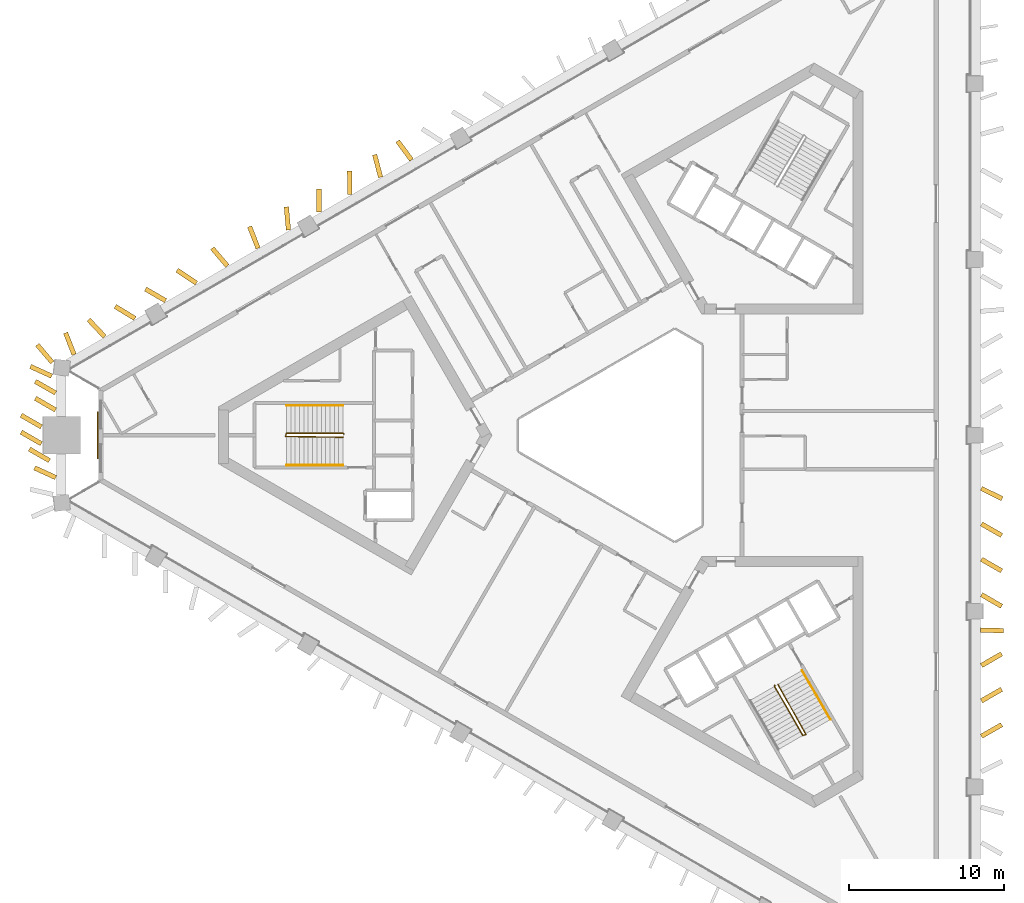
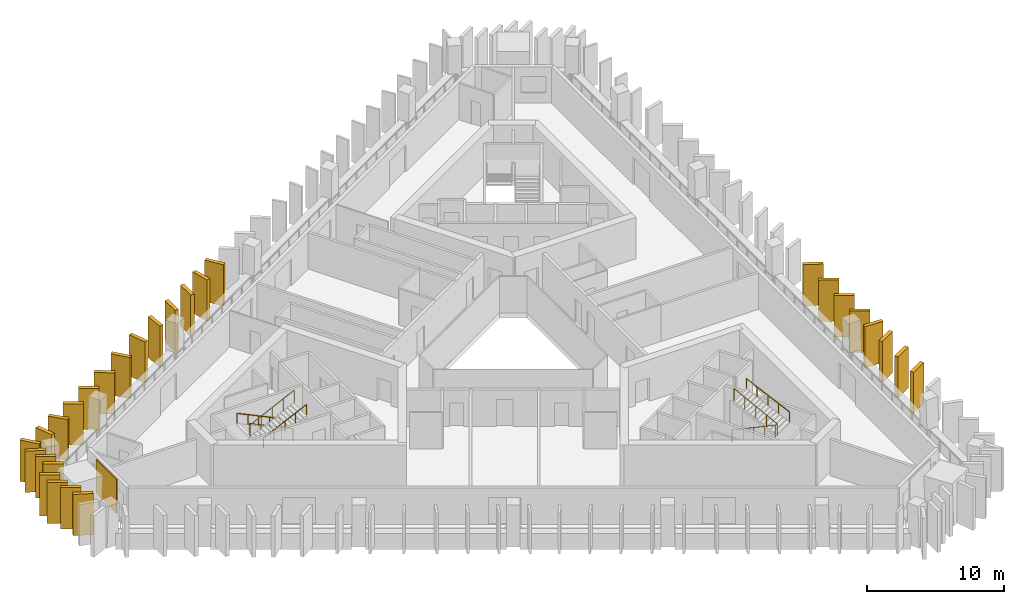
# One storey, part 8 of 10: 28 shading devices, 5 railings, 1 covering.
"""IFC4 building model written with IfcOpenShell, lengths in metres."""

from ifc_helpers import new_model, si_unit, direction, frame, frame_2d, origin, origin_2d, place, context, subcontext, project, spatial, rectangle, circle, extrude, material, layer, layer_set, type_object, element, save


model = new_model("IFC4")

# Units and contexts
model_context = context("Model", 3, precision=1e-05, world=origin(), true_north=direction((0.0, 1.0)))
body_context = subcontext(model_context, "Body", "Model", "MODEL_VIEW")
ifc_project = project(units=[si_unit("LENGTHUNIT", "METRE"), si_unit("AREAUNIT", "SQUARE_METRE"), si_unit("VOLUMEUNIT", "CUBIC_METRE"), si_unit("PLANEANGLEUNIT", "RADIAN"), si_unit("MASSUNIT", "GRAM", prefix="KILO")], contexts=[model_context])

# Site, building, storey
site_placement = place(None, origin())
site = spatial("IfcSite", under=ifc_project, at=site_placement, CompositionType="ELEMENT")
building_placement = place(site_placement, origin())
building = spatial("IfcBuilding", under=site, at=building_placement, Name="Jabali Bay Hotel Tower and Convention Centre", CompositionType="ELEMENT")
storey_placement = place(building_placement, frame((0.0, 0.0, 125.300048828125)))
storey = spatial("IfcBuildingStorey", under=building, at=storey_placement, Name="L30", CompositionType="ELEMENT", Elevation=125.300048828125)

# Shading devices
ifc_material_1 = material(Name="Precast concrete C60", Category="concrete")
ifc_layer_1 = layer(ifc_material_1, 0.300048828125)
ifc_layer_set_1 = layer_set([ifc_layer_1], Name="Precast concrete C60")
shading_device_type = type_object("IfcShadingDeviceType", Name="Precast fin 3680 x 1500", PredefinedType="USERDEFINED", material=ifc_layer_set_1)
for number, where, z_axis, x_axis, name in (
    (1, (97.4931640625, 60.6337890625, 0.010009765625), (0.0, 0.0, 1.0), (0.867119005422, 0.498101024327, 0.0), "Fin L30 004"),
    (2, (97.4931640625, 62.912109375, 0.010009765625), (0.0, 0.0, 1.0), (0.867119005422, 0.498101024327, 0.0), "Fin L30 005"),
    (3, (97.4931640625, 65.1904296875, 0.010009765625), (0.0, 0.0, 1.0), (0.867119005422, 0.498101024327, 0.0), "Fin L30 006"),
):
    element("IfcShadingDevice", number, at=place(storey_placement, frame(where, z_axis=z_axis, x_axis=x_axis)), inside=storey, type_object=shading_device_type, Name=name, ObjectType="FIN", PredefinedType="USERDEFINED", context=body_context, shape_type="SweptSolid", body=[
        extrude(rectangle(XDim=1.499755859375, YDim=0.300048828125, at=frame_2d((0.75, 0.0))), origin(), (0.0, 0.0, 1.0), 3.679931640625),
    ])
shading_device_1_placement = place(storey_placement, frame((97.42236328125, 67.468994140625, 0.010009765625), z_axis=(0.0, 0.0, 1.0), x_axis=(0.999634969873, -0.027017161348, 0.0)))
element("IfcShadingDevice", 4, at=shading_device_1_placement, inside=storey, type_object=shading_device_type, Name="Fin L30 007", ObjectType="FIN", PredefinedType="USERDEFINED", context=body_context, shape_type="SweptSolid", body=[
    extrude(rectangle(XDim=1.5, YDim=0.300048828125, at=frame_2d((0.75, 0.0))), origin(), (0.0, 0.0, 1.0), 3.679931640625),
])
for number, where, z_axis, x_axis, name in (
    (5, (97.4931640625, 69.747314453125, 0.010009765625), (0.0, 0.0, 1.0), (0.867119005422, -0.498101024327, 0.0), "Fin L30 008"),
    (6, (97.4931640625, 72.025634765625, 0.010009765625), (0.0, 0.0, 1.0), (0.867119005422, -0.498101024327, 0.0), "Fin L30 009"),
    (7, (97.4931640625, 74.303955078125, 0.010009765625), (0.0, 0.0, 1.0), (0.867119005422, -0.498101024327, 0.0), "Fin L30 010"),
):
    element("IfcShadingDevice", number, at=place(storey_placement, frame(where, z_axis=z_axis, x_axis=x_axis)), inside=storey, type_object=shading_device_type, Name=name, ObjectType="FIN", PredefinedType="USERDEFINED", context=body_context, shape_type="SweptSolid", body=[
        extrude(rectangle(XDim=1.499755859375, YDim=0.300048828125, at=frame_2d((0.75, 0.0))), origin(), (0.0, 0.0, 1.0), 3.679931640625),
    ])
shading_device_2_placement = place(storey_placement, frame((97.4853515625, 76.58251953125, 0.010009765625), z_axis=(0.0, 0.0, 1.0), x_axis=(0.895142158028, -0.445780794698, 0.0)))
element("IfcShadingDevice", 8, at=shading_device_2_placement, inside=storey, type_object=shading_device_type, Name="Fin L30 011", ObjectType="FIN", PredefinedType="USERDEFINED", context=body_context, shape_type="SweptSolid", body=[
    extrude(rectangle(XDim=1.5, YDim=0.300048828125, at=frame_2d((0.75, 0.0))), origin(), (0.0, 0.0, 1.0), 3.679931640625),
])
shading_device_3_placement = place(storey_placement, frame((60.82275390625, 97.720703125, 0.010009765625), z_axis=(0.0, 0.0, 1.0), x_axis=(-0.594308695688, 0.804237013715, 0.0)))
element("IfcShadingDevice", 9, at=shading_device_3_placement, inside=storey, type_object=shading_device_type, Name="Fin L30 048", ObjectType="FIN", PredefinedType="USERDEFINED", context=body_context, shape_type="SweptSolid", body=[
    extrude(rectangle(XDim=1.500244140625, YDim=0.300048828125, at=frame_2d((0.75, 0.0))), origin(), (0.0, 0.0, 1.0), 3.679931640625),
])
for number, where, z_axis, x_axis, name in (
    (10, (58.83837890625, 96.600830078125, 0.010009765625), (0.0, 0.0, 1.0), (-0.256831882514, 0.966456095291, 0.0), "Fin L30 049"),
    (11, (56.84765625, 95.4921875, 0.010009765625), (0.0, 0.0, 1.0), (-0.005045508693, 0.99998727134, 0.0), "Fin L30 050"),
    (12, (54.874267578125, 94.353271484375, 0.010009765625), (0.0, 0.0, 1.0), (-0.002278639918, 0.999997403897, 0.0), "Fin L30 051"),
    (13, (52.906982421875, 93.2041015625, 0.010009765625), (0.0, 0.0, 1.0), (-0.088055315722, 0.996115586352, 0.0), "Fin L30 052"),
    (14, (50.9541015625, 92.02978515625, 0.010009765625), (0.0, 0.0, 1.0), (-0.364110885753, 0.931355604952, 0.0), "Fin L30 053"),
    (15, (48.978759765625, 90.89453125, 0.010009765625), (0.0, 0.0, 1.0), (-0.648550283642, 0.761171813448, 0.0), "Fin L30 054"),
    (16, (46.986083984375, 89.7890625, 0.010009765625), (0.0, 0.0, 1.0), (-0.830620163566, 0.556839423782, 0.0), "Fin L30 055"),
    (17, (45.0087890625, 88.6572265625, 0.010009765625), (0.0, 0.0, 1.0), (-0.864898360543, 0.501947034986, 0.0), "Fin L30 056"),
    (18, (43.036865234375, 87.515869140625, 0.010009765625), (0.0, 0.0, 1.0), (-0.854955080074, 0.518702044583, 0.0), "Fin L30 057"),
):
    element("IfcShadingDevice", number, at=place(storey_placement, frame(where, z_axis=z_axis, x_axis=x_axis)), inside=storey, type_object=shading_device_type, Name=name, ObjectType="FIN", PredefinedType="USERDEFINED", context=body_context, shape_type="SweptSolid", body=[
        extrude(rectangle(XDim=1.5, YDim=0.300048828125, at=frame_2d((0.75, 0.0))), origin(), (0.0, 0.0, 1.0), 3.679931640625),
    ])
shading_device_4_placement = place(storey_placement, frame((41.08251953125, 86.343994140625, 0.010009765625), z_axis=(0.0, 0.0, 1.0), x_axis=(-0.685126022986, 0.728424555206, 0.0)))
element("IfcShadingDevice", 19, at=shading_device_4_placement, inside=storey, type_object=shading_device_type, Name="Fin L30 058", ObjectType="FIN", PredefinedType="USERDEFINED", context=body_context, shape_type="SweptSolid", body=[
    extrude(rectangle(XDim=1.499755859375, YDim=0.300048828125, at=frame_2d((0.75, 0.0))), origin(), (0.0, 0.0, 1.0), 3.679931640625),
])
for number, where, z_axis, x_axis, name in (
    (20, (39.115234375, 85.194580078125, 0.010009765625), (0.0, 0.0, 1.0), (-0.36377329922, 0.931487512946, 0.0), "Fin L30 059"),
    (21, (37.672607421875, 83.80810546875, 0.010009765625), (0.0, 0.0, 1.0), (-0.910109912376, 0.414366923625, 0.0), "Fin L30 060"),
    (22, (37.9248046875, 82.72021484375, 0.010009765625), (0.0, 0.0, 1.0), (-0.867159382876, 0.498030726652, 0.0), "Fin L30 061"),
    (23, (37.9248046875, 81.632080078125, 0.010009765625), (0.0, 0.0, 1.0), (-0.867159382876, 0.498030726652, 0.0), "Fin L30 062"),
):
    element("IfcShadingDevice", number, at=place(storey_placement, frame(where, z_axis=z_axis, x_axis=x_axis)), inside=storey, type_object=shading_device_type, Name=name, ObjectType="FIN", PredefinedType="USERDEFINED", context=body_context, shape_type="SweptSolid", body=[
        extrude(rectangle(XDim=1.5, YDim=0.300048828125, at=frame_2d((0.75, 0.0))), origin(), (0.0, 0.0, 1.0), 3.679931640625),
    ])
for number, where, z_axis, x_axis, name in (
    (24, (37.01220703125, 80.5439453125, 0.010009765625), (0.0, 0.0, 1.0), (-0.867119005422, 0.498101024327, 0.0), "Fin L30 063"),
    (25, (37.01220703125, 79.4560546875, 0.010009765625), (0.0, 0.0, 1.0), (-0.867119005422, 0.498101024327, 0.0), "Fin L30 064"),
    (26, (37.5380859375, 78.367919921875, 0.010009765625), (0.0, 0.0, 1.0), (-0.867119005422, 0.498101024327, 0.0), "Fin L30 065"),
):
    element("IfcShadingDevice", number, at=place(storey_placement, frame(where, z_axis=z_axis, x_axis=x_axis)), inside=storey, type_object=shading_device_type, Name=name, ObjectType="FIN", PredefinedType="USERDEFINED", context=body_context, shape_type="SweptSolid", body=[
        extrude(rectangle(XDim=1.499755859375, YDim=0.300048828125, at=frame_2d((0.75, 0.0))), origin(), (0.0, 0.0, 1.0), 3.679931640625),
    ])
shading_device_5_placement = place(storey_placement, frame((37.93701171875, 77.27978515625, 0.010009765625), z_axis=(0.0, 0.0, 1.0), x_axis=(-0.90920348445, 0.416352043184, 0.0)))
element("IfcShadingDevice", 27, at=shading_device_5_placement, inside=storey, type_object=shading_device_type, Name="Fin L30 066", ObjectType="FIN", PredefinedType="USERDEFINED", context=body_context, shape_type="SweptSolid", body=[
    extrude(rectangle(XDim=1.5, YDim=0.300048828125, at=frame_2d((0.75, 0.0))), origin(), (0.0, 0.0, 1.0), 3.679931640625),
])
shading_device_6_placement = place(storey_placement, frame((37.718994140625, 84.6796875, 0.010009765625), z_axis=(0.0, 0.0, 1.0), x_axis=(-0.647218328706, 0.762304686452, 0.0)))
element("IfcShadingDevice", 28, at=shading_device_6_placement, inside=storey, type_object=shading_device_type, Name="Fin L30 105", ObjectType="FIN", PredefinedType="USERDEFINED", context=body_context, shape_type="SweptSolid", body=[
    extrude(rectangle(XDim=1.499755859375, YDim=0.300048828125, at=frame_2d((0.75, 0.0))), origin(), (0.0, 0.0, 1.0), 3.679931640625),
])

# Covering
ifc_material_2 = material(Name="Precast concrete C40/50", Category="concrete")
ifc_layer_2 = layer(ifc_material_2, 0.080078125)
ifc_layer_set_2 = layer_set([ifc_layer_2], Name="Precast concrete C40/50")
covering_type = type_object("IfcCoveringType", Name="Relief panel 3000 x 3050", PredefinedType="CLADDING", material=ifc_layer_set_2)
covering_placement = place(storey_placement, frame((40.646240234375, 80.0, 0.10009765625), z_axis=(0.0, 0.0, 1.0), x_axis=(0.0, 1.0, 0.0)))
element("IfcCovering", 29, at=covering_placement, inside=storey, type_object=covering_type, Name="Relief panel L30", PredefinedType="CLADDING", context=body_context, shape_type="SweptSolid", body=[
    extrude(rectangle(XDim=3.0, YDim=0.080078125, at=origin_2d()), origin(), (0.0, 0.0, 1.0), 3.050048828125),
])

# Railings
ifc_material_3 = material(Name="Steel Q355B", Category="steel")
railing_type_1 = type_object("IfcRailingType", Name="Stair guard 1100", PredefinedType="GUARDRAIL", material=ifc_material_3)
railing_1_placement = place(storey_placement, frame((56.469970703125, 80.074951171875, 0.0)))
element("IfcRailing", 30, at=railing_1_placement, inside=storey, type_object=railing_type_1, Name="L30 ST1 stair guard 1", PredefinedType="GUARDRAIL", context=body_context, shape_type="SweptSolid", body=[
    extrude(circle(Radius=0.02392578125, at=origin_2d()), frame((0.0, 0.0, 1.076171875), z_axis=(-0.333993628408, 0.333993628408, 0.881417331555), x_axis=(-0.707106781187, -0.707106781187, 0.0)), (0.0, 0.0, 1.0), 0.14990234375),
    extrude(circle(Radius=0.02392578125, at=origin_2d()), frame((-0.050048828125, 0.050048828125, 1.2080078125), z_axis=(-0.904350763662, 0.0, 0.426789990819), x_axis=(0.0, -1.0, 0.0)), (0.0, 0.0, 1.0), 4.02490234375),
    extrude(circle(Radius=0.02392578125, at=origin_2d()), frame((-3.68994140625, 0.050048828125, 2.92578125), z_axis=(-0.242814311512, -0.970072785993, 0.0), x_axis=(0.970072785993, -0.242814311512, 0.0)), (0.0, 0.0, 1.0), 0.2060546875),
    extrude(circle(Radius=0.02392578125, at=origin_2d()), frame((-3.739990234375, -0.14990234375, 2.92578125), z_axis=(0.893864111827, -0.012124000458, 0.448174026692), x_axis=(0.013562335953, 0.999908027292, 0.0)), (0.0, 0.0, 1.0), 4.128173828125),
    extrude(circle(Radius=0.02099609375, at=origin_2d()), origin(), (0.0, 0.0, 1.0), 1.052001953125),
    extrude(circle(Radius=0.02099609375, at=origin_2d()), frame((-0.050048828125, 0.050048828125, 0.132080078125)), (0.0, 0.0, 1.0), 1.052001953125),
    extrude(circle(Radius=0.02099609375, at=origin_2d()), frame((-0.9599609375, 0.050048828125, 0.5615234375)), (0.0, 0.0, 1.0), 1.052001953125),
    extrude(circle(Radius=0.02099609375, at=origin_2d()), frame((-1.8701171875, 0.050048828125, 0.990966796875)), (0.0, 0.0, 1.0), 1.052001953125),
    extrude(circle(Radius=0.02099609375, at=origin_2d()), frame((-2.780029296875, 0.050048828125, 1.42041015625)), (0.0, 0.0, 1.0), 1.052001953125),
    extrude(circle(Radius=0.02099609375, at=origin_2d()), frame((-3.68994140625, 0.050048828125, 1.849853515625)), (0.0, 0.0, 1.0), 1.052001953125),
    extrude(circle(Radius=0.02099609375, at=origin_2d()), frame((-3.739990234375, -0.14990234375, 1.849853515625)), (0.0, 0.0, 1.0), 1.052001953125),
    extrude(circle(Radius=0.02099609375, at=origin_2d()), frame((-2.8173828125, -0.162353515625, 2.3125)), (0.0, 0.0, 1.0), 1.052001953125),
    extrude(circle(Radius=0.02099609375, at=origin_2d()), frame((-1.89501953125, -0.1748046875, 2.77490234375)), (0.0, 0.0, 1.0), 1.052001953125),
    extrude(circle(Radius=0.02099609375, at=origin_2d()), frame((-0.97265625, -0.1875, 3.2373046875)), (0.0, 0.0, 1.0), 1.052001953125),
    extrude(circle(Radius=0.02099609375, at=origin_2d()), frame((-0.050048828125, -0.199951171875, 3.699951171875)), (0.0, 0.0, 1.0), 1.052001953125),
])
railing_2_placement = place(storey_placement, frame((84.199951171875, 63.9150390625, 0.0)))
element("IfcRailing", 31, at=railing_2_placement, inside=storey, type_object=railing_type_1, Name="L30 ST3 stair guard 1", PredefinedType="GUARDRAIL", context=body_context, shape_type="SweptSolid", body=[
    extrude(circle(Radius=0.02392578125, at=origin_2d()), frame((0.0, 0.0, 1.076171875), z_axis=(-0.122196845461, -0.456201556387, 0.881446578591), x_axis=(0.965948051503, -0.258736085224, 0.0)), (0.0, 0.0, 1.0), 0.14990234375),
    extrude(circle(Radius=0.02392578125, at=origin_2d()), frame((-0.018310546875, -0.068359375, 1.2080078125), z_axis=(0.452190331055, -0.783190014029, 0.426775475427), x_axis=(0.866018046521, 0.500012742938, 0.0)), (0.0, 0.0, 1.0), 4.02490234375),
    extrude(circle(Radius=0.02392578125, at=origin_2d()), frame((1.8017578125, -3.220703125, 2.92578125), z_axis=(0.96121063429, 0.275815366736, 0.0), x_axis=(-0.275815366736, 0.96121063429, 0.0)), (0.0, 0.0, 1.0), 0.206298828125),
    extrude(circle(Radius=0.02392578125, at=origin_2d()), frame((2.0, -3.163818359375, 2.92578125), z_axis=(-0.436470229993, 0.780146179382, 0.448180406895), x_axis=(-0.872702246529, -0.488252792008, 0.0)), (0.0, 0.0, 1.0), 4.1279296875),
    extrude(circle(Radius=0.02099609375, at=origin_2d()), origin(), (0.0, 0.0, 1.0), 1.052001953125),
    extrude(circle(Radius=0.02099609375, at=origin_2d()), frame((-0.018310546875, -0.068359375, 0.132080078125)), (0.0, 0.0, 1.0), 1.052001953125),
    extrude(circle(Radius=0.02099609375, at=origin_2d()), frame((0.436767578125, -0.8564453125, 0.5615234375)), (0.0, 0.0, 1.0), 1.052001953125),
    extrude(circle(Radius=0.02099609375, at=origin_2d()), frame((0.8916015625, -1.64453125, 0.990966796875)), (0.0, 0.0, 1.0), 1.052001953125),
    extrude(circle(Radius=0.02099609375, at=origin_2d()), frame((1.3466796875, -2.4326171875, 1.42041015625)), (0.0, 0.0, 1.0), 1.052001953125),
    extrude(circle(Radius=0.02099609375, at=origin_2d()), frame((1.8017578125, -3.220703125, 1.849853515625)), (0.0, 0.0, 1.0), 1.052001953125),
    extrude(circle(Radius=0.02099609375, at=origin_2d()), frame((2.0, -3.163818359375, 1.849853515625)), (0.0, 0.0, 1.0), 1.052001953125),
    extrude(circle(Radius=0.02099609375, at=origin_2d()), frame((1.549560546875, -2.358642578125, 2.3125)), (0.0, 0.0, 1.0), 1.052001953125),
    extrude(circle(Radius=0.02099609375, at=origin_2d()), frame((1.09912109375, -1.5537109375, 2.77490234375)), (0.0, 0.0, 1.0), 1.052001953125),
    extrude(circle(Radius=0.02099609375, at=origin_2d()), frame((0.648681640625, -0.74853515625, 3.2373046875)), (0.0, 0.0, 1.0), 1.052001953125),
    extrude(circle(Radius=0.02099609375, at=origin_2d()), frame((0.1982421875, 0.056640625, 3.699951171875)), (0.0, 0.0, 1.0), 1.052001953125),
])
railing_type_2 = type_object("IfcRailingType", Name="Stair handrail 900", PredefinedType="HANDRAIL", material=ifc_material_3)
railing_3_placement = place(storey_placement, frame((56.419921875, 81.925048828125, 0.132080078125)))
element("IfcRailing", 32, at=railing_3_placement, inside=storey, type_object=railing_type_2, Name="L30 ST1 stair handrail 1", PredefinedType="HANDRAIL", context=body_context, shape_type="SweptSolid", body=[
    extrude(circle(Radius=0.02392578125, at=origin_2d()), frame((0.0, 0.0, 0.8759765625), z_axis=(-0.904350763662, 0.0, 0.426789990819), x_axis=(0.0, -1.0, 0.0)), (0.0, 0.0, 1.0), 4.02490234375),
    extrude(circle(Radius=0.02099609375, at=origin_2d()), origin(), (0.0, 0.0, 1.0), 0.851806640625),
    extrude(circle(Radius=0.02099609375, at=origin_2d()), frame((-0.909912109375, 0.0, 0.429443359375)), (0.0, 0.0, 1.0), 0.851806640625),
    extrude(circle(Radius=0.02099609375, at=origin_2d()), frame((-1.81982421875, 0.0, 0.85888671875)), (0.0, 0.0, 1.0), 0.851806640625),
    extrude(circle(Radius=0.02099609375, at=origin_2d()), frame((-2.72998046875, 0.0, 1.288330078125)), (0.0, 0.0, 1.0), 0.851806640625),
    extrude(circle(Radius=0.02099609375, at=origin_2d()), frame((-3.639892578125, 0.0, 1.7177734375)), (0.0, 0.0, 1.0), 0.851806640625),
])
railing_4_placement = place(storey_placement, frame((52.780029296875, 78.074951171875, 1.982177734375)))
element("IfcRailing", 33, at=railing_4_placement, inside=storey, type_object=railing_type_2, Name="L30 ST1 stair handrail 2", PredefinedType="HANDRAIL", context=body_context, shape_type="SweptSolid", body=[
    extrude(circle(Radius=0.02392578125, at=origin_2d()), frame((0.0, 0.0, 0.8759765625), z_axis=(0.904350763662, 0.0, 0.426789990819), x_axis=(0.0, 1.0, 0.0)), (0.0, 0.0, 1.0), 4.02490234375),
    extrude(circle(Radius=0.02099609375, at=origin_2d()), origin(), (0.0, 0.0, 1.0), 0.851806640625),
    extrude(circle(Radius=0.02099609375, at=origin_2d()), frame((0.909912109375, 0.0, 0.429443359375)), (0.0, 0.0, 1.0), 0.851806640625),
    extrude(circle(Radius=0.02099609375, at=origin_2d()), frame((1.81982421875, 0.0, 0.85888671875)), (0.0, 0.0, 1.0), 0.851806640625),
    extrude(circle(Radius=0.02099609375, at=origin_2d()), frame((2.72998046875, 0.0, 1.288330078125)), (0.0, 0.0, 1.0), 0.851806640625),
    extrude(circle(Radius=0.02099609375, at=origin_2d()), frame((3.639892578125, 0.0, 1.7177734375)), (0.0, 0.0, 1.0), 0.851806640625),
])
railing_5_placement = place(storey_placement, frame((87.777099609375, 61.719482421875, 1.982177734375)))
element("IfcRailing", 34, at=railing_5_placement, inside=storey, type_object=railing_type_2, Name="L30 ST3 stair handrail 2", PredefinedType="HANDRAIL", context=body_context, shape_type="SweptSolid", body=[
    extrude(circle(Radius=0.02392578125, at=origin_2d()), frame((0.0, 0.0, 0.8759765625), z_axis=(-0.452190331055, 0.783190014029, 0.426775475427), x_axis=(-0.866018046521, -0.500012742938, 0.0)), (0.0, 0.0, 1.0), 4.02490234375),
    extrude(circle(Radius=0.02099609375, at=origin_2d()), origin(), (0.0, 0.0, 1.0), 0.851806640625),
    extrude(circle(Radius=0.02099609375, at=origin_2d()), frame((-0.455078125, 0.7880859375, 0.429443359375)), (0.0, 0.0, 1.0), 0.851806640625),
    extrude(circle(Radius=0.02099609375, at=origin_2d()), frame((-0.91015625, 1.576171875, 0.85888671875)), (0.0, 0.0, 1.0), 0.851806640625),
    extrude(circle(Radius=0.02099609375, at=origin_2d()), frame((-1.364990234375, 2.3642578125, 1.288330078125)), (0.0, 0.0, 1.0), 0.851806640625),
    extrude(circle(Radius=0.02099609375, at=origin_2d()), frame((-1.820068359375, 3.15234375, 1.7177734375)), (0.0, 0.0, 1.0), 0.851806640625),
])

save(model, "model.ifc")
